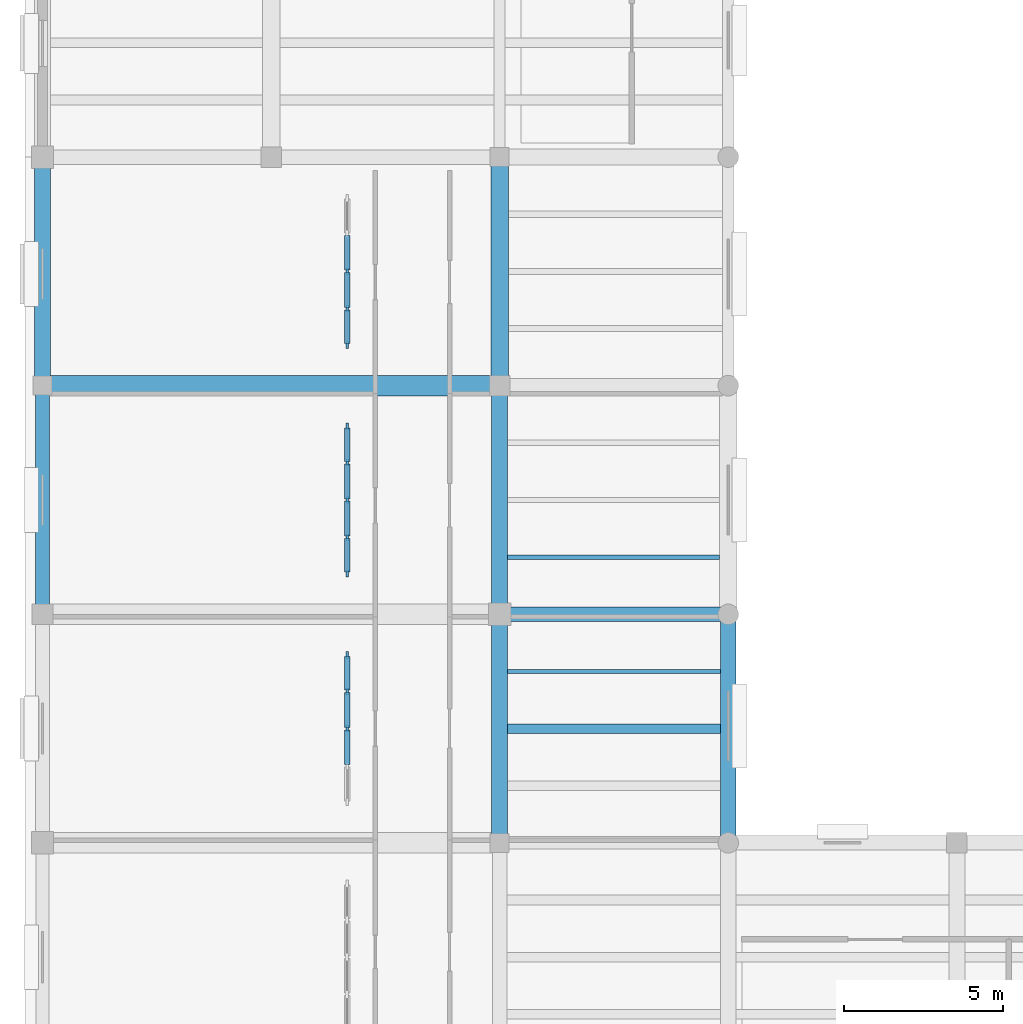
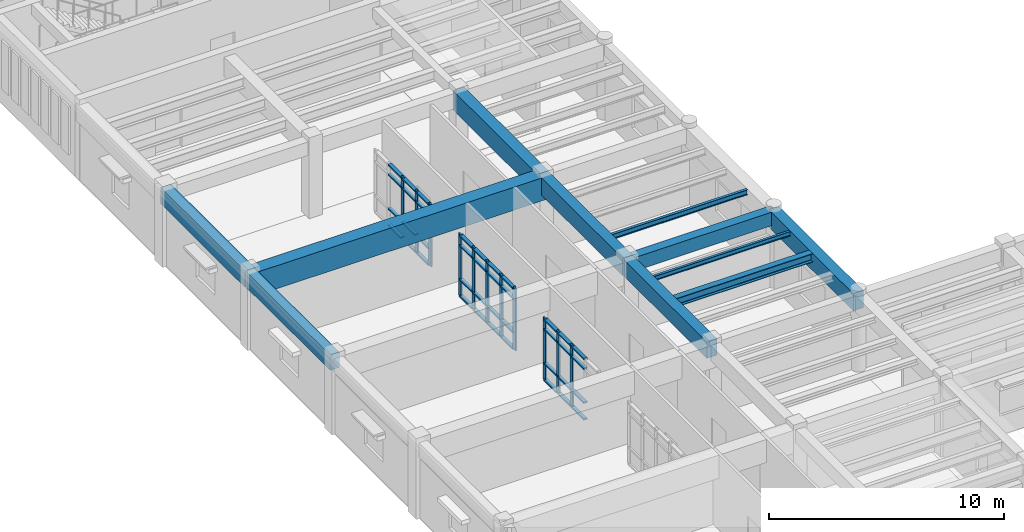
# One storey, part 4 of 66: 51 members, 11 beams, 3 elements without a shape of their own.
"""IFC4 building model written with IfcOpenShell, lengths in metres."""

from ifc_helpers import new_model, si_unit, direction, frame, origin, origin_2d, place, context, subcontext, project, spatial, rectangle, i_section, extrude, material, material_profile, profile_set, type_object, element, aggregate, save


model = new_model("IFC4")

# Units and contexts
model_context = context("Model", 3, precision=1e-05, world=origin(), true_north=direction((0.0, 1.0)))
body_context = subcontext(model_context, "Body", "Model", "MODEL_VIEW")
ifc_project = project(units=[si_unit("LENGTHUNIT", "METRE"), si_unit("AREAUNIT", "SQUARE_METRE"), si_unit("VOLUMEUNIT", "CUBIC_METRE"), si_unit("PLANEANGLEUNIT", "RADIAN"), si_unit("MASSUNIT", "GRAM", prefix="KILO")], contexts=[model_context])

# Site, building, storey
site_placement = place(None, origin())
site = spatial("IfcSite", under=ifc_project, at=site_placement, CompositionType="ELEMENT")
building_placement = place(site_placement, origin())
building = spatial("IfcBuilding", under=site, at=building_placement, Name="Mithqara Police Headquarters", CompositionType="ELEMENT")
storey_placement = place(building_placement, frame((0.0, 0.0, 9.60009765625)))
storey = spatial("IfcBuildingStorey", under=building, at=storey_placement, Name="L02", CompositionType="ELEMENT", Elevation=9.60009765625)

# Beams
ifc_material_1 = material(Name="Steel S355JR", Category="steel")
ifc_material_profile_1 = material_profile(ifc_material_1, i_section(OverallWidth=0.300048828125, OverallDepth=0.449951171875, WebThickness=0.013916015625, FlangeThickness=0.02587890625, FilletRadius=0.027099609375, at=origin_2d()), Name="HEB 450")
ifc_profile_set_1 = profile_set([ifc_material_profile_1], Name="Steel S355JR")
beam_type_1 = type_object("IfcBeamType", Name="BEAM HEB450", PredefinedType="BEAM", material=ifc_profile_set_1)
beam_1_placement = place(storey_placement, frame((22.449951171875, 39.0, 3.71484375), z_axis=(1.0, 0.0, 0.0), x_axis=(0.0, 1.0, 0.0)))
element("IfcBeam", 1, at=beam_1_placement, inside=storey, type_object=beam_type_1, Name="L02 Composite Steel Joist 4-5/F.2", PredefinedType="BEAM", context=body_context, shape_type="SweptSolid", body=[
    extrude(i_section(OverallWidth=0.300048828125, OverallDepth=0.449951171875, WebThickness=0.013916015625, FlangeThickness=0.02587890625, FilletRadius=0.027099609375, at=origin_2d()), origin(), (0.0, 0.0, 1.0), 6.699951171875),
])
ifc_material_2 = material(Name="Concrete C40/50", Category="concrete")
ifc_material_profile_2 = material_profile(ifc_material_2, rectangle(XDim=0.449951171875, YDim=0.699951171875, at=origin_2d()), Name="RC 450x700")
ifc_profile_set_2 = profile_set([ifc_material_profile_2], Name="Concrete C40/50")
beam_type_2 = type_object("IfcBeamType", Name="BEAM RC450X700", PredefinedType="BEAM", material=ifc_profile_set_2)
beam_2_placement = place(storey_placement, frame((22.199951171875, 42.60009765625, 3.58984375), z_axis=(1.0, 0.0, 0.0), x_axis=(0.0, 1.0, 0.0)))
element("IfcBeam", 2, at=beam_2_placement, inside=storey, type_object=beam_type_2, Name="L02 Girder 4-5/G", PredefinedType="BEAM", context=body_context, shape_type="SweptSolid", body=[
    extrude(rectangle(XDim=0.449951171875, YDim=0.699951171875, at=origin_2d()), origin(), (0.0, 0.0, 1.0), 7.199951171875),
])
ifc_material_profile_3 = material_profile(ifc_material_2, rectangle(XDim=0.449951171875, YDim=0.800048828125, at=origin_2d()), Name="RC 450x800")
ifc_profile_set_3 = profile_set([ifc_material_profile_3], Name="Concrete C40/50")
beam_type_3 = type_object("IfcBeamType", Name="BEAM RC450X800", PredefinedType="BEAM", material=ifc_profile_set_3)
beam_3_placement = place(storey_placement, frame((7.800048828125, 42.60009765625, 3.539794921875), z_axis=(0.0, 1.0, 0.0), x_axis=(-1.0, 0.0, 0.0)))
element("IfcBeam", 3, at=beam_3_placement, inside=storey, type_object=beam_type_3, Name="L02 Girder 2/G-H", PredefinedType="BEAM", context=body_context, shape_type="SweptSolid", body=[
    extrude(rectangle(XDim=0.449951171875, YDim=0.800048828125, at=origin_2d()), origin(), (0.0, 0.0, 1.0), 7.199951171875),
])
ifc_material_profile_4 = material_profile(ifc_material_2, rectangle(XDim=0.5, YDim=0.85009765625, at=origin_2d()), Name="RC 500x850")
ifc_profile_set_4 = profile_set([ifc_material_profile_4], Name="Concrete C40/50")
beam_type_4 = type_object("IfcBeamType", Name="BEAM RC500X850", PredefinedType="BEAM", material=ifc_profile_set_4)
beam_4_placement = place(storey_placement, frame((7.800048828125, 49.800048828125, 3.514892578125), z_axis=(0.0, 1.0, 0.0), x_axis=(-1.0, 0.0, 0.0)))
element("IfcBeam", 4, at=beam_4_placement, inside=storey, type_object=beam_type_4, Name="L02 Girder 2/H-J", PredefinedType="BEAM", context=body_context, shape_type="SweptSolid", body=[
    extrude(rectangle(XDim=0.5, YDim=0.85009765625, at=origin_2d()), origin(), (0.0, 0.0, 1.0), 7.199951171875),
])
beam_5_placement = place(storey_placement, frame((22.199951171875, 35.39990234375, 3.514892578125), z_axis=(0.0, 1.0, 0.0), x_axis=(-1.0, 0.0, 0.0)))
element("IfcBeam", 5, at=beam_5_placement, inside=storey, type_object=beam_type_4, Name="L02 Girder 4/F-G", PredefinedType="BEAM", context=body_context, shape_type="SweptSolid", body=[
    extrude(rectangle(XDim=0.5, YDim=0.85009765625, at=origin_2d()), origin(), (0.0, 0.0, 1.0), 7.2001953125),
])
ifc_material_3 = material(Name="Concrete C50/60", Category="concrete")
ifc_material_profile_5 = material_profile(ifc_material_3, rectangle(XDim=0.5, YDim=0.89990234375, at=origin_2d()), Name="RC 500x900")
ifc_profile_set_5 = profile_set([ifc_material_profile_5], Name="Concrete C50/60")
beam_type_5 = type_object("IfcBeamType", Name="BEAM RC500X900", PredefinedType="BEAM", material=ifc_profile_set_5)
beam_6_placement = place(storey_placement, frame((22.199951171875, 42.60009765625, 3.489990234375), z_axis=(0.0, 1.0, 0.0), x_axis=(-1.0, 0.0, 0.0)))
element("IfcBeam", 6, at=beam_6_placement, inside=storey, type_object=beam_type_5, Name="L02 Girder 4/G-H", PredefinedType="BEAM", context=body_context, shape_type="SweptSolid", body=[
    extrude(rectangle(XDim=0.5, YDim=0.89990234375, at=origin_2d()), origin(), (0.0, 0.0, 1.0), 7.199951171875),
])
beam_7_placement = place(storey_placement, frame((29.39990234375, 35.39990234375, 3.489990234375), z_axis=(0.0, 1.0, 0.0), x_axis=(-1.0, 0.0, 0.0)))
element("IfcBeam", 7, at=beam_7_placement, inside=storey, type_object=beam_type_5, Name="L02 Girder 5/F-G", PredefinedType="BEAM", context=body_context, shape_type="SweptSolid", body=[
    extrude(rectangle(XDim=0.5, YDim=0.89990234375, at=origin_2d()), origin(), (0.0, 0.0, 1.0), 7.2001953125),
])
ifc_material_profile_6 = material_profile(ifc_material_3, rectangle(XDim=0.550048828125, YDim=1.0, at=origin_2d()), Name="RC 550x1000")
ifc_profile_set_6 = profile_set([ifc_material_profile_6], Name="Concrete C50/60")
beam_type_6 = type_object("IfcBeamType", Name="BEAM RC550X1000", PredefinedType="BEAM", material=ifc_profile_set_6)
beam_8_placement = place(storey_placement, frame((22.199951171875, 49.800048828125, 3.43994140625), z_axis=(0.0, 1.0, 0.0), x_axis=(-1.0, 0.0, 0.0)))
element("IfcBeam", 8, at=beam_8_placement, inside=storey, type_object=beam_type_6, Name="L02 Girder 4/H-J", PredefinedType="BEAM", context=body_context, shape_type="SweptSolid", body=[
    extrude(rectangle(XDim=0.550048828125, YDim=1.0, at=origin_2d()), origin(), (0.0, 0.0, 1.0), 7.199951171875),
])

# Curtain wall, members
ifc_material_4 = material(Name="Bronze anodised aluminium 6063-T6", Category="aluminium")
curtain_wall_type = type_object("IfcCurtainWallType", Name="CURTAIN WALL 4700X3220", PredefinedType="USERDEFINED", material=ifc_material_4)
curtain_wall_1_placement = place(storey_placement, origin())
curtain_wall_1 = element("IfcCurtainWall", 9, at=curtain_wall_1_placement, inside=storey, type_object=curtain_wall_type, Name="L02 Unitised Glazing CW-16 (CW-INT-L02-X02-Y05-0)", ObjectType="UNITISED GLAZING", PredefinedType="USERDEFINED")
ifc_material_profile_7 = material_profile(ifc_material_4, rectangle(XDim=0.074951171875, YDim=0.219970703125, at=origin_2d()), Name="CWM 75x220")
ifc_profile_set_7 = profile_set([ifc_material_profile_7], Name="Bronze anodised aluminium 6063-T6")
member_type_1 = type_object("IfcMemberType", Name="CWMULLION 75X220", PredefinedType="MULLION", material=ifc_profile_set_7)
member_1_placement = place(storey_placement, frame((17.39990234375, 39.0, 0.0), z_axis=(0.0, 0.0, 1.0), x_axis=(-1.0, 0.0, 0.0)))
member_1 = element("IfcMember", 10, at=member_1_placement, type_object=member_type_1, Name="CW-16 mullion 3", PredefinedType="MULLION", context=body_context, shape_type="SweptSolid", body=[
    extrude(rectangle(XDim=0.074951171875, YDim=0.219970703125, at=origin_2d()), origin(), (0.0, 0.0, 1.0), 3.219970703125),
])
member_2_placement = place(storey_placement, frame((17.39990234375, 40.175048828125, 0.0), z_axis=(0.0, 0.0, 1.0), x_axis=(-1.0, 0.0, 0.0)))
member_2 = element("IfcMember", 11, at=member_2_placement, type_object=member_type_1, Name="CW-16 mullion 4", PredefinedType="MULLION", context=body_context, shape_type="SweptSolid", body=[
    extrude(rectangle(XDim=0.074951171875, YDim=0.219970703125, at=origin_2d()), origin(), (0.0, 0.0, 1.0), 3.219970703125),
])
member_3_placement = place(storey_placement, frame((17.39990234375, 41.3125, 0.0), z_axis=(0.0, 0.0, 1.0), x_axis=(-1.0, 0.0, 0.0)))
member_3 = element("IfcMember", 12, at=member_3_placement, type_object=member_type_1, Name="CW-16 mullion 5", PredefinedType="MULLION", context=body_context, shape_type="SweptSolid", body=[
    extrude(rectangle(XDim=0.074951171875, YDim=0.219970703125, at=origin_2d()), origin(), (0.0, 0.0, 1.0), 3.219970703125),
])

curtain_wall_2_placement = place(storey_placement, origin())
curtain_wall_2 = element("IfcCurtainWall", 13, at=curtain_wall_2_placement, inside=storey, type_object=curtain_wall_type, Name="L02 Unitised Glazing CW-16 (CW-INT-L02-X02-Y06-0)", ObjectType="UNITISED GLAZING", PredefinedType="USERDEFINED")
member_4_placement = place(storey_placement, frame((17.39990234375, 43.887451171875, 0.0), z_axis=(0.0, 0.0, 1.0), x_axis=(-1.0, 0.0, 0.0)))
member_4 = element("IfcMember", 14, at=member_4_placement, type_object=member_type_1, Name="CW-16 mullion 1", PredefinedType="MULLION", context=body_context, shape_type="SweptSolid", body=[
    extrude(rectangle(XDim=0.074951171875, YDim=0.219970703125, at=origin_2d()), origin(), (0.0, 0.0, 1.0), 3.219970703125),
])
member_5_placement = place(storey_placement, frame((17.39990234375, 45.02490234375, 0.0), z_axis=(0.0, 0.0, 1.0), x_axis=(-1.0, 0.0, 0.0)))
member_5 = element("IfcMember", 15, at=member_5_placement, type_object=member_type_1, Name="CW-16 mullion 2", PredefinedType="MULLION", context=body_context, shape_type="SweptSolid", body=[
    extrude(rectangle(XDim=0.074951171875, YDim=0.219970703125, at=origin_2d()), origin(), (0.0, 0.0, 1.0), 3.219970703125),
])
member_6_placement = place(storey_placement, frame((17.39990234375, 46.199951171875, 0.0), z_axis=(0.0, 0.0, 1.0), x_axis=(-1.0, 0.0, 0.0)))
member_6 = element("IfcMember", 16, at=member_6_placement, type_object=member_type_1, Name="CW-16 mullion 3", PredefinedType="MULLION", context=body_context, shape_type="SweptSolid", body=[
    extrude(rectangle(XDim=0.074951171875, YDim=0.219970703125, at=origin_2d()), origin(), (0.0, 0.0, 1.0), 3.219970703125),
])
member_7_placement = place(storey_placement, frame((17.39990234375, 47.375, 0.0), z_axis=(0.0, 0.0, 1.0), x_axis=(-1.0, 0.0, 0.0)))
member_7 = element("IfcMember", 17, at=member_7_placement, type_object=member_type_1, Name="CW-16 mullion 4", PredefinedType="MULLION", context=body_context, shape_type="SweptSolid", body=[
    extrude(rectangle(XDim=0.074951171875, YDim=0.219970703125, at=origin_2d()), origin(), (0.0, 0.0, 1.0), 3.219970703125),
])
member_8_placement = place(storey_placement, frame((17.39990234375, 48.512451171875, 0.0), z_axis=(0.0, 0.0, 1.0), x_axis=(-1.0, 0.0, 0.0)))
member_8 = element("IfcMember", 18, at=member_8_placement, type_object=member_type_1, Name="CW-16 mullion 5", PredefinedType="MULLION", context=body_context, shape_type="SweptSolid", body=[
    extrude(rectangle(XDim=0.074951171875, YDim=0.219970703125, at=origin_2d()), origin(), (0.0, 0.0, 1.0), 3.219970703125),
])

curtain_wall_3_placement = place(storey_placement, origin())
curtain_wall_3 = element("IfcCurtainWall", 19, at=curtain_wall_3_placement, inside=storey, type_object=curtain_wall_type, Name="L02 Unitised Glazing CW-16 (CW-INT-L02-X02-Y07-0)", ObjectType="UNITISED GLAZING", PredefinedType="USERDEFINED")
member_9_placement = place(storey_placement, frame((17.39990234375, 51.08740234375, 0.0), z_axis=(0.0, 0.0, 1.0), x_axis=(-1.0, 0.0, 0.0)))
member_9 = element("IfcMember", 20, at=member_9_placement, type_object=member_type_1, Name="CW-16 mullion 1", PredefinedType="MULLION", context=body_context, shape_type="SweptSolid", body=[
    extrude(rectangle(XDim=0.074951171875, YDim=0.219970703125, at=origin_2d()), origin(), (0.0, 0.0, 1.0), 3.219970703125),
])
member_10_placement = place(storey_placement, frame((17.39990234375, 52.22509765625, 0.0), z_axis=(0.0, 0.0, 1.0), x_axis=(-1.0, 0.0, 0.0)))
member_10 = element("IfcMember", 21, at=member_10_placement, type_object=member_type_1, Name="CW-16 mullion 2", PredefinedType="MULLION", context=body_context, shape_type="SweptSolid", body=[
    extrude(rectangle(XDim=0.074951171875, YDim=0.219970703125, at=origin_2d()), origin(), (0.0, 0.0, 1.0), 3.219970703125),
])
member_11_placement = place(storey_placement, frame((17.39990234375, 53.39990234375, 0.0), z_axis=(0.0, 0.0, 1.0), x_axis=(-1.0, 0.0, 0.0)))
member_11 = element("IfcMember", 22, at=member_11_placement, type_object=member_type_1, Name="CW-16 mullion 3", PredefinedType="MULLION", context=body_context, shape_type="SweptSolid", body=[
    extrude(rectangle(XDim=0.074951171875, YDim=0.219970703125, at=origin_2d()), origin(), (0.0, 0.0, 1.0), 3.219970703125),
])

# Member
ifc_material_profile_8 = material_profile(ifc_material_4, rectangle(XDim=0.179931640625, YDim=0.074951171875, at=origin_2d()), Name="CWT 180x75")
ifc_profile_set_8 = profile_set([ifc_material_profile_8], Name="Bronze anodised aluminium 6063-T6")
member_type_2 = type_object("IfcMemberType", Name="CWTRANSOM 180X75", PredefinedType="USERDEFINED", material=ifc_profile_set_8)
member_12_placement = place(storey_placement, frame((17.39990234375, 37.862548828125, 0.037353515625), z_axis=(0.0, 1.0, 0.0), x_axis=(-1.0, 0.0, 0.0)))
member_12 = element("IfcMember", 23, at=member_12_placement, type_object=member_type_2, Name="CW-16 transom 2.1", ObjectType="TRANSOM", PredefinedType="USERDEFINED", context=body_context, shape_type="SweptSolid", body=[
    extrude(rectangle(XDim=0.179931640625, YDim=0.074951171875, at=origin_2d()), origin(), (0.0, 0.0, 1.0), 1.099853515625),
])

member_13_placement = place(storey_placement, frame((17.39990234375, 37.862548828125, 0.89990234375), z_axis=(0.0, 1.0, 0.0), x_axis=(-1.0, 0.0, 0.0)))
member_13 = element("IfcMember", 24, at=member_13_placement, type_object=member_type_2, Name="CW-16 transom 2.2", ObjectType="TRANSOM", PredefinedType="USERDEFINED", context=body_context, shape_type="SweptSolid", body=[
    extrude(rectangle(XDim=0.179931640625, YDim=0.074951171875, at=origin_2d()), origin(), (0.0, 0.0, 1.0), 1.099853515625),
])

member_14_placement = place(storey_placement, frame((17.39990234375, 37.862548828125, 2.669921875), z_axis=(0.0, 1.0, 0.0), x_axis=(-1.0, 0.0, 0.0)))
member_14 = element("IfcMember", 25, at=member_14_placement, type_object=member_type_2, Name="CW-16 transom 2.3", ObjectType="TRANSOM", PredefinedType="USERDEFINED", context=body_context, shape_type="SweptSolid", body=[
    extrude(rectangle(XDim=0.179931640625, YDim=0.074951171875, at=origin_2d()), origin(), (0.0, 0.0, 1.0), 1.099853515625),
])

member_15_placement = place(storey_placement, frame((17.39990234375, 37.862548828125, 3.182373046875), z_axis=(0.0, 1.0, 0.0), x_axis=(-1.0, 0.0, 0.0)))
member_15 = element("IfcMember", 26, at=member_15_placement, type_object=member_type_2, Name="CW-16 transom 2.4", ObjectType="TRANSOM", PredefinedType="USERDEFINED", context=body_context, shape_type="SweptSolid", body=[
    extrude(rectangle(XDim=0.179931640625, YDim=0.074951171875, at=origin_2d()), origin(), (0.0, 0.0, 1.0), 1.099853515625),
])

member_16_placement = place(storey_placement, frame((17.39990234375, 39.03759765625, 0.037353515625), z_axis=(0.0, 1.0, 0.0), x_axis=(-1.0, 0.0, 0.0)))
member_16 = element("IfcMember", 27, at=member_16_placement, type_object=member_type_2, Name="CW-16 transom 3.1", ObjectType="TRANSOM", PredefinedType="USERDEFINED", context=body_context, shape_type="SweptSolid", body=[
    extrude(rectangle(XDim=0.179931640625, YDim=0.074951171875, at=origin_2d()), origin(), (0.0, 0.0, 1.0), 1.099853515625),
])

member_17_placement = place(storey_placement, frame((17.39990234375, 39.03759765625, 0.89990234375), z_axis=(0.0, 1.0, 0.0), x_axis=(-1.0, 0.0, 0.0)))
member_17 = element("IfcMember", 28, at=member_17_placement, type_object=member_type_2, Name="CW-16 transom 3.2", ObjectType="TRANSOM", PredefinedType="USERDEFINED", context=body_context, shape_type="SweptSolid", body=[
    extrude(rectangle(XDim=0.179931640625, YDim=0.074951171875, at=origin_2d()), origin(), (0.0, 0.0, 1.0), 1.099853515625),
])

member_18_placement = place(storey_placement, frame((17.39990234375, 39.03759765625, 2.669921875), z_axis=(0.0, 1.0, 0.0), x_axis=(-1.0, 0.0, 0.0)))
member_18 = element("IfcMember", 29, at=member_18_placement, type_object=member_type_2, Name="CW-16 transom 3.3", ObjectType="TRANSOM", PredefinedType="USERDEFINED", context=body_context, shape_type="SweptSolid", body=[
    extrude(rectangle(XDim=0.179931640625, YDim=0.074951171875, at=origin_2d()), origin(), (0.0, 0.0, 1.0), 1.099853515625),
])

member_19_placement = place(storey_placement, frame((17.39990234375, 39.03759765625, 3.182373046875), z_axis=(0.0, 1.0, 0.0), x_axis=(-1.0, 0.0, 0.0)))
member_19 = element("IfcMember", 30, at=member_19_placement, type_object=member_type_2, Name="CW-16 transom 3.4", ObjectType="TRANSOM", PredefinedType="USERDEFINED", context=body_context, shape_type="SweptSolid", body=[
    extrude(rectangle(XDim=0.179931640625, YDim=0.074951171875, at=origin_2d()), origin(), (0.0, 0.0, 1.0), 1.099853515625),
])

member_20_placement = place(storey_placement, frame((17.39990234375, 40.21240234375, 0.037353515625), z_axis=(0.0, 1.0, 0.0), x_axis=(-1.0, 0.0, 0.0)))
member_20 = element("IfcMember", 31, at=member_20_placement, type_object=member_type_2, Name="CW-16 transom 4.1", ObjectType="TRANSOM", PredefinedType="USERDEFINED", context=body_context, shape_type="SweptSolid", body=[
    extrude(rectangle(XDim=0.179931640625, YDim=0.074951171875, at=origin_2d()), origin(), (0.0, 0.0, 1.0), 1.0625),
])

member_21_placement = place(storey_placement, frame((17.39990234375, 40.21240234375, 0.89990234375), z_axis=(0.0, 1.0, 0.0), x_axis=(-1.0, 0.0, 0.0)))
member_21 = element("IfcMember", 32, at=member_21_placement, type_object=member_type_2, Name="CW-16 transom 4.2", ObjectType="TRANSOM", PredefinedType="USERDEFINED", context=body_context, shape_type="SweptSolid", body=[
    extrude(rectangle(XDim=0.179931640625, YDim=0.074951171875, at=origin_2d()), origin(), (0.0, 0.0, 1.0), 1.0625),
])

member_22_placement = place(storey_placement, frame((17.39990234375, 40.21240234375, 2.669921875), z_axis=(0.0, 1.0, 0.0), x_axis=(-1.0, 0.0, 0.0)))
member_22 = element("IfcMember", 33, at=member_22_placement, type_object=member_type_2, Name="CW-16 transom 4.3", ObjectType="TRANSOM", PredefinedType="USERDEFINED", context=body_context, shape_type="SweptSolid", body=[
    extrude(rectangle(XDim=0.179931640625, YDim=0.074951171875, at=origin_2d()), origin(), (0.0, 0.0, 1.0), 1.0625),
])

member_23_placement = place(storey_placement, frame((17.39990234375, 40.21240234375, 3.182373046875), z_axis=(0.0, 1.0, 0.0), x_axis=(-1.0, 0.0, 0.0)))
member_23 = element("IfcMember", 34, at=member_23_placement, type_object=member_type_2, Name="CW-16 transom 4.4", ObjectType="TRANSOM", PredefinedType="USERDEFINED", context=body_context, shape_type="SweptSolid", body=[
    extrude(rectangle(XDim=0.179931640625, YDim=0.074951171875, at=origin_2d()), origin(), (0.0, 0.0, 1.0), 1.0625),
])

aggregate(curtain_wall_1, [member_1, member_2, member_3, member_12, member_13, member_14, member_15, member_16, member_17, member_18, member_19, member_20, member_21, member_22, member_23])

member_24_placement = place(storey_placement, frame((17.39990234375, 43.925048828125, 0.037353515625), z_axis=(0.0, 1.0, 0.0), x_axis=(-1.0, 0.0, 0.0)))
member_24 = element("IfcMember", 35, at=member_24_placement, type_object=member_type_2, Name="CW-16 transom 1.1", ObjectType="TRANSOM", PredefinedType="USERDEFINED", context=body_context, shape_type="SweptSolid", body=[
    extrude(rectangle(XDim=0.179931640625, YDim=0.074951171875, at=origin_2d()), origin(), (0.0, 0.0, 1.0), 1.0625),
])

member_25_placement = place(storey_placement, frame((17.39990234375, 43.925048828125, 0.89990234375), z_axis=(0.0, 1.0, 0.0), x_axis=(-1.0, 0.0, 0.0)))
member_25 = element("IfcMember", 36, at=member_25_placement, type_object=member_type_2, Name="CW-16 transom 1.2", ObjectType="TRANSOM", PredefinedType="USERDEFINED", context=body_context, shape_type="SweptSolid", body=[
    extrude(rectangle(XDim=0.179931640625, YDim=0.074951171875, at=origin_2d()), origin(), (0.0, 0.0, 1.0), 1.0625),
])

member_26_placement = place(storey_placement, frame((17.39990234375, 43.925048828125, 2.669921875), z_axis=(0.0, 1.0, 0.0), x_axis=(-1.0, 0.0, 0.0)))
member_26 = element("IfcMember", 37, at=member_26_placement, type_object=member_type_2, Name="CW-16 transom 1.3", ObjectType="TRANSOM", PredefinedType="USERDEFINED", context=body_context, shape_type="SweptSolid", body=[
    extrude(rectangle(XDim=0.179931640625, YDim=0.074951171875, at=origin_2d()), origin(), (0.0, 0.0, 1.0), 1.0625),
])

member_27_placement = place(storey_placement, frame((17.39990234375, 43.925048828125, 3.182373046875), z_axis=(0.0, 1.0, 0.0), x_axis=(-1.0, 0.0, 0.0)))
member_27 = element("IfcMember", 38, at=member_27_placement, type_object=member_type_2, Name="CW-16 transom 1.4", ObjectType="TRANSOM", PredefinedType="USERDEFINED", context=body_context, shape_type="SweptSolid", body=[
    extrude(rectangle(XDim=0.179931640625, YDim=0.074951171875, at=origin_2d()), origin(), (0.0, 0.0, 1.0), 1.0625),
])

member_28_placement = place(storey_placement, frame((17.39990234375, 45.0625, 0.037353515625), z_axis=(0.0, 1.0, 0.0), x_axis=(-1.0, 0.0, 0.0)))
member_28 = element("IfcMember", 39, at=member_28_placement, type_object=member_type_2, Name="CW-16 transom 2.1", ObjectType="TRANSOM", PredefinedType="USERDEFINED", context=body_context, shape_type="SweptSolid", body=[
    extrude(rectangle(XDim=0.179931640625, YDim=0.074951171875, at=origin_2d()), origin(), (0.0, 0.0, 1.0), 1.10009765625),
])

member_29_placement = place(storey_placement, frame((17.39990234375, 45.0625, 0.89990234375), z_axis=(0.0, 1.0, 0.0), x_axis=(-1.0, 0.0, 0.0)))
member_29 = element("IfcMember", 40, at=member_29_placement, type_object=member_type_2, Name="CW-16 transom 2.2", ObjectType="TRANSOM", PredefinedType="USERDEFINED", context=body_context, shape_type="SweptSolid", body=[
    extrude(rectangle(XDim=0.179931640625, YDim=0.074951171875, at=origin_2d()), origin(), (0.0, 0.0, 1.0), 1.10009765625),
])

member_30_placement = place(storey_placement, frame((17.39990234375, 45.0625, 2.669921875), z_axis=(0.0, 1.0, 0.0), x_axis=(-1.0, 0.0, 0.0)))
member_30 = element("IfcMember", 41, at=member_30_placement, type_object=member_type_2, Name="CW-16 transom 2.3", ObjectType="TRANSOM", PredefinedType="USERDEFINED", context=body_context, shape_type="SweptSolid", body=[
    extrude(rectangle(XDim=0.179931640625, YDim=0.074951171875, at=origin_2d()), origin(), (0.0, 0.0, 1.0), 1.10009765625),
])

member_31_placement = place(storey_placement, frame((17.39990234375, 45.0625, 3.182373046875), z_axis=(0.0, 1.0, 0.0), x_axis=(-1.0, 0.0, 0.0)))
member_31 = element("IfcMember", 42, at=member_31_placement, type_object=member_type_2, Name="CW-16 transom 2.4", ObjectType="TRANSOM", PredefinedType="USERDEFINED", context=body_context, shape_type="SweptSolid", body=[
    extrude(rectangle(XDim=0.179931640625, YDim=0.074951171875, at=origin_2d()), origin(), (0.0, 0.0, 1.0), 1.10009765625),
])

member_32_placement = place(storey_placement, frame((17.39990234375, 46.237548828125, 0.037353515625), z_axis=(0.0, 1.0, 0.0), x_axis=(-1.0, 0.0, 0.0)))
member_32 = element("IfcMember", 43, at=member_32_placement, type_object=member_type_2, Name="CW-16 transom 3.1", ObjectType="TRANSOM", PredefinedType="USERDEFINED", context=body_context, shape_type="SweptSolid", body=[
    extrude(rectangle(XDim=0.179931640625, YDim=0.074951171875, at=origin_2d()), origin(), (0.0, 0.0, 1.0), 1.099853515625),
])

member_33_placement = place(storey_placement, frame((17.39990234375, 46.237548828125, 0.89990234375), z_axis=(0.0, 1.0, 0.0), x_axis=(-1.0, 0.0, 0.0)))
member_33 = element("IfcMember", 44, at=member_33_placement, type_object=member_type_2, Name="CW-16 transom 3.2", ObjectType="TRANSOM", PredefinedType="USERDEFINED", context=body_context, shape_type="SweptSolid", body=[
    extrude(rectangle(XDim=0.179931640625, YDim=0.074951171875, at=origin_2d()), origin(), (0.0, 0.0, 1.0), 1.099853515625),
])

member_34_placement = place(storey_placement, frame((17.39990234375, 46.237548828125, 2.669921875), z_axis=(0.0, 1.0, 0.0), x_axis=(-1.0, 0.0, 0.0)))
member_34 = element("IfcMember", 45, at=member_34_placement, type_object=member_type_2, Name="CW-16 transom 3.3", ObjectType="TRANSOM", PredefinedType="USERDEFINED", context=body_context, shape_type="SweptSolid", body=[
    extrude(rectangle(XDim=0.179931640625, YDim=0.074951171875, at=origin_2d()), origin(), (0.0, 0.0, 1.0), 1.099853515625),
])

member_35_placement = place(storey_placement, frame((17.39990234375, 46.237548828125, 3.182373046875), z_axis=(0.0, 1.0, 0.0), x_axis=(-1.0, 0.0, 0.0)))
member_35 = element("IfcMember", 46, at=member_35_placement, type_object=member_type_2, Name="CW-16 transom 3.4", ObjectType="TRANSOM", PredefinedType="USERDEFINED", context=body_context, shape_type="SweptSolid", body=[
    extrude(rectangle(XDim=0.179931640625, YDim=0.074951171875, at=origin_2d()), origin(), (0.0, 0.0, 1.0), 1.099853515625),
])

member_36_placement = place(storey_placement, frame((17.39990234375, 47.41259765625, 0.037353515625), z_axis=(0.0, 1.0, 0.0), x_axis=(-1.0, 0.0, 0.0)))
member_36 = element("IfcMember", 47, at=member_36_placement, type_object=member_type_2, Name="CW-16 transom 4.1", ObjectType="TRANSOM", PredefinedType="USERDEFINED", context=body_context, shape_type="SweptSolid", body=[
    extrude(rectangle(XDim=0.179931640625, YDim=0.074951171875, at=origin_2d()), origin(), (0.0, 0.0, 1.0), 1.0625),
])

member_37_placement = place(storey_placement, frame((17.39990234375, 47.41259765625, 0.89990234375), z_axis=(0.0, 1.0, 0.0), x_axis=(-1.0, 0.0, 0.0)))
member_37 = element("IfcMember", 48, at=member_37_placement, type_object=member_type_2, Name="CW-16 transom 4.2", ObjectType="TRANSOM", PredefinedType="USERDEFINED", context=body_context, shape_type="SweptSolid", body=[
    extrude(rectangle(XDim=0.179931640625, YDim=0.074951171875, at=origin_2d()), origin(), (0.0, 0.0, 1.0), 1.0625),
])

member_38_placement = place(storey_placement, frame((17.39990234375, 47.41259765625, 2.669921875), z_axis=(0.0, 1.0, 0.0), x_axis=(-1.0, 0.0, 0.0)))
member_38 = element("IfcMember", 49, at=member_38_placement, type_object=member_type_2, Name="CW-16 transom 4.3", ObjectType="TRANSOM", PredefinedType="USERDEFINED", context=body_context, shape_type="SweptSolid", body=[
    extrude(rectangle(XDim=0.179931640625, YDim=0.074951171875, at=origin_2d()), origin(), (0.0, 0.0, 1.0), 1.0625),
])

member_39_placement = place(storey_placement, frame((17.39990234375, 47.41259765625, 3.182373046875), z_axis=(0.0, 1.0, 0.0), x_axis=(-1.0, 0.0, 0.0)))
member_39 = element("IfcMember", 50, at=member_39_placement, type_object=member_type_2, Name="CW-16 transom 4.4", ObjectType="TRANSOM", PredefinedType="USERDEFINED", context=body_context, shape_type="SweptSolid", body=[
    extrude(rectangle(XDim=0.179931640625, YDim=0.074951171875, at=origin_2d()), origin(), (0.0, 0.0, 1.0), 1.0625),
])

aggregate(curtain_wall_2, [member_4, member_5, member_6, member_7, member_8, member_24, member_25, member_26, member_27, member_28, member_29, member_30, member_31, member_32, member_33, member_34, member_35, member_36, member_37, member_38, member_39])

member_40_placement = place(storey_placement, frame((17.39990234375, 51.125, 0.037353515625), z_axis=(0.0, 1.0, 0.0), x_axis=(-1.0, 0.0, 0.0)))
member_40 = element("IfcMember", 51, at=member_40_placement, type_object=member_type_2, Name="CW-16 transom 1.1", ObjectType="TRANSOM", PredefinedType="USERDEFINED", context=body_context, shape_type="SweptSolid", body=[
    extrude(rectangle(XDim=0.179931640625, YDim=0.074951171875, at=origin_2d()), origin(), (0.0, 0.0, 1.0), 1.0625),
])

member_41_placement = place(storey_placement, frame((17.39990234375, 51.125, 0.89990234375), z_axis=(0.0, 1.0, 0.0), x_axis=(-1.0, 0.0, 0.0)))
member_41 = element("IfcMember", 52, at=member_41_placement, type_object=member_type_2, Name="CW-16 transom 1.2", ObjectType="TRANSOM", PredefinedType="USERDEFINED", context=body_context, shape_type="SweptSolid", body=[
    extrude(rectangle(XDim=0.179931640625, YDim=0.074951171875, at=origin_2d()), origin(), (0.0, 0.0, 1.0), 1.0625),
])

member_42_placement = place(storey_placement, frame((17.39990234375, 51.125, 2.669921875), z_axis=(0.0, 1.0, 0.0), x_axis=(-1.0, 0.0, 0.0)))
member_42 = element("IfcMember", 53, at=member_42_placement, type_object=member_type_2, Name="CW-16 transom 1.3", ObjectType="TRANSOM", PredefinedType="USERDEFINED", context=body_context, shape_type="SweptSolid", body=[
    extrude(rectangle(XDim=0.179931640625, YDim=0.074951171875, at=origin_2d()), origin(), (0.0, 0.0, 1.0), 1.0625),
])

member_43_placement = place(storey_placement, frame((17.39990234375, 51.125, 3.182373046875), z_axis=(0.0, 1.0, 0.0), x_axis=(-1.0, 0.0, 0.0)))
member_43 = element("IfcMember", 54, at=member_43_placement, type_object=member_type_2, Name="CW-16 transom 1.4", ObjectType="TRANSOM", PredefinedType="USERDEFINED", context=body_context, shape_type="SweptSolid", body=[
    extrude(rectangle(XDim=0.179931640625, YDim=0.074951171875, at=origin_2d()), origin(), (0.0, 0.0, 1.0), 1.0625),
])

member_44_placement = place(storey_placement, frame((17.39990234375, 52.262451171875, 0.037353515625), z_axis=(0.0, 1.0, 0.0), x_axis=(-1.0, 0.0, 0.0)))
member_44 = element("IfcMember", 55, at=member_44_placement, type_object=member_type_2, Name="CW-16 transom 2.1", ObjectType="TRANSOM", PredefinedType="USERDEFINED", context=body_context, shape_type="SweptSolid", body=[
    extrude(rectangle(XDim=0.179931640625, YDim=0.074951171875, at=origin_2d()), origin(), (0.0, 0.0, 1.0), 1.10009765625),
])

member_45_placement = place(storey_placement, frame((17.39990234375, 52.262451171875, 0.89990234375), z_axis=(0.0, 1.0, 0.0), x_axis=(-1.0, 0.0, 0.0)))
member_45 = element("IfcMember", 56, at=member_45_placement, type_object=member_type_2, Name="CW-16 transom 2.2", ObjectType="TRANSOM", PredefinedType="USERDEFINED", context=body_context, shape_type="SweptSolid", body=[
    extrude(rectangle(XDim=0.179931640625, YDim=0.074951171875, at=origin_2d()), origin(), (0.0, 0.0, 1.0), 1.10009765625),
])

member_46_placement = place(storey_placement, frame((17.39990234375, 52.262451171875, 2.669921875), z_axis=(0.0, 1.0, 0.0), x_axis=(-1.0, 0.0, 0.0)))
member_46 = element("IfcMember", 57, at=member_46_placement, type_object=member_type_2, Name="CW-16 transom 2.3", ObjectType="TRANSOM", PredefinedType="USERDEFINED", context=body_context, shape_type="SweptSolid", body=[
    extrude(rectangle(XDim=0.179931640625, YDim=0.074951171875, at=origin_2d()), origin(), (0.0, 0.0, 1.0), 1.10009765625),
])

member_47_placement = place(storey_placement, frame((17.39990234375, 52.262451171875, 3.182373046875), z_axis=(0.0, 1.0, 0.0), x_axis=(-1.0, 0.0, 0.0)))
member_47 = element("IfcMember", 58, at=member_47_placement, type_object=member_type_2, Name="CW-16 transom 2.4", ObjectType="TRANSOM", PredefinedType="USERDEFINED", context=body_context, shape_type="SweptSolid", body=[
    extrude(rectangle(XDim=0.179931640625, YDim=0.074951171875, at=origin_2d()), origin(), (0.0, 0.0, 1.0), 1.10009765625),
])

member_48_placement = place(storey_placement, frame((17.39990234375, 53.4375, 0.037353515625), z_axis=(0.0, 1.0, 0.0), x_axis=(-1.0, 0.0, 0.0)))
member_48 = element("IfcMember", 59, at=member_48_placement, type_object=member_type_2, Name="CW-16 transom 3.1", ObjectType="TRANSOM", PredefinedType="USERDEFINED", context=body_context, shape_type="SweptSolid", body=[
    extrude(rectangle(XDim=0.179931640625, YDim=0.074951171875, at=origin_2d()), origin(), (0.0, 0.0, 1.0), 1.10009765625),
])

member_49_placement = place(storey_placement, frame((17.39990234375, 53.4375, 0.89990234375), z_axis=(0.0, 1.0, 0.0), x_axis=(-1.0, 0.0, 0.0)))
member_49 = element("IfcMember", 60, at=member_49_placement, type_object=member_type_2, Name="CW-16 transom 3.2", ObjectType="TRANSOM", PredefinedType="USERDEFINED", context=body_context, shape_type="SweptSolid", body=[
    extrude(rectangle(XDim=0.179931640625, YDim=0.074951171875, at=origin_2d()), origin(), (0.0, 0.0, 1.0), 1.10009765625),
])

member_50_placement = place(storey_placement, frame((17.39990234375, 53.4375, 2.669921875), z_axis=(0.0, 1.0, 0.0), x_axis=(-1.0, 0.0, 0.0)))
member_50 = element("IfcMember", 61, at=member_50_placement, type_object=member_type_2, Name="CW-16 transom 3.3", ObjectType="TRANSOM", PredefinedType="USERDEFINED", context=body_context, shape_type="SweptSolid", body=[
    extrude(rectangle(XDim=0.179931640625, YDim=0.074951171875, at=origin_2d()), origin(), (0.0, 0.0, 1.0), 1.10009765625),
])

member_51_placement = place(storey_placement, frame((17.39990234375, 53.4375, 3.182373046875), z_axis=(0.0, 1.0, 0.0), x_axis=(-1.0, 0.0, 0.0)))
member_51 = element("IfcMember", 62, at=member_51_placement, type_object=member_type_2, Name="CW-16 transom 3.4", ObjectType="TRANSOM", PredefinedType="USERDEFINED", context=body_context, shape_type="SweptSolid", body=[
    extrude(rectangle(XDim=0.179931640625, YDim=0.074951171875, at=origin_2d()), origin(), (0.0, 0.0, 1.0), 1.10009765625),
])

aggregate(curtain_wall_3, [member_9, member_10, member_11, member_40, member_41, member_42, member_43, member_44, member_45, member_46, member_47, member_48, member_49, member_50, member_51])

# Beams
ifc_material_profile_9 = material_profile(ifc_material_1, i_section(OverallWidth=0.1201171875, OverallDepth=0.239990234375, WebThickness=0.006103515625, FlangeThickness=0.009765625, FilletRadius=0.014892578125, at=origin_2d()), Name="IPE 240")
ifc_profile_set_9 = profile_set([ifc_material_profile_9], Name="Steel S355JR")
beam_type_7 = type_object("IfcBeamType", Name="JOIST IPE240", PredefinedType="JOIST", material=ifc_profile_set_9)
beam_9_placement = place(storey_placement, frame((22.449951171875, 40.800048828125, 3.81982421875), z_axis=(1.0, 0.0, 0.0), x_axis=(0.0, 1.0, 0.0)))
element("IfcBeam", 63, at=beam_9_placement, inside=storey, type_object=beam_type_7, Name="L02 Composite Steel Joist 4-5/F.3", PredefinedType="JOIST", context=body_context, shape_type="SweptSolid", body=[
    extrude(i_section(OverallWidth=0.1201171875, OverallDepth=0.239990234375, WebThickness=0.006103515625, FlangeThickness=0.009765625, FilletRadius=0.014892578125, at=origin_2d()), origin(), (0.0, 0.0, 1.0), 6.699951171875),
])
ifc_material_profile_10 = material_profile(ifc_material_1, i_section(OverallWidth=0.135009765625, OverallDepth=0.27001953125, WebThickness=0.006591796875, FlangeThickness=0.01025390625, FilletRadius=0.014892578125, at=origin_2d()), Name="IPE 270")
ifc_profile_set_10 = profile_set([ifc_material_profile_10], Name="Steel S355JR")
beam_type_8 = type_object("IfcBeamType", Name="JOIST IPE270", PredefinedType="JOIST", material=ifc_profile_set_10)
beam_10_placement = place(storey_placement, frame((22.449951171875, 44.39990234375, 3.804931640625), z_axis=(1.0, 0.0, 0.0), x_axis=(0.0, 1.0, 0.0)))
element("IfcBeam", 64, at=beam_10_placement, inside=storey, type_object=beam_type_8, Name="L02 Composite Steel Joist 4-5/G.1", PredefinedType="JOIST", context=body_context, shape_type="SweptSolid", body=[
    extrude(i_section(OverallWidth=0.135009765625, OverallDepth=0.27001953125, WebThickness=0.006591796875, FlangeThickness=0.01025390625, FilletRadius=0.014892578125, at=origin_2d()), origin(), (0.0, 0.0, 1.0), 6.675048828125),
])
ifc_material_profile_11 = material_profile(ifc_material_3, rectangle(XDim=0.64990234375, YDim=1.199951171875, at=origin_2d()), Name="RC 650x1200")
ifc_profile_set_11 = profile_set([ifc_material_profile_11], Name="Concrete C50/60")
beam_type_9 = type_object("IfcBeamType", Name="TRANSFER RC650X1200", PredefinedType="BEAM", material=ifc_profile_set_11)
beam_11_placement = place(storey_placement, frame((7.800048828125, 49.800048828125, 3.33984375), z_axis=(1.0, 0.0, 0.0), x_axis=(0.0, 1.0, 0.0)))
element("IfcBeam", 65, at=beam_11_placement, inside=storey, type_object=beam_type_9, Name="L02 Girder 2-4/H", PredefinedType="BEAM", context=body_context, shape_type="SweptSolid", body=[
    extrude(rectangle(XDim=0.64990234375, YDim=1.199951171875, at=origin_2d()), origin(), (0.0, 0.0, 1.0), 14.39990234375),
])

save(model, "model.ifc")
